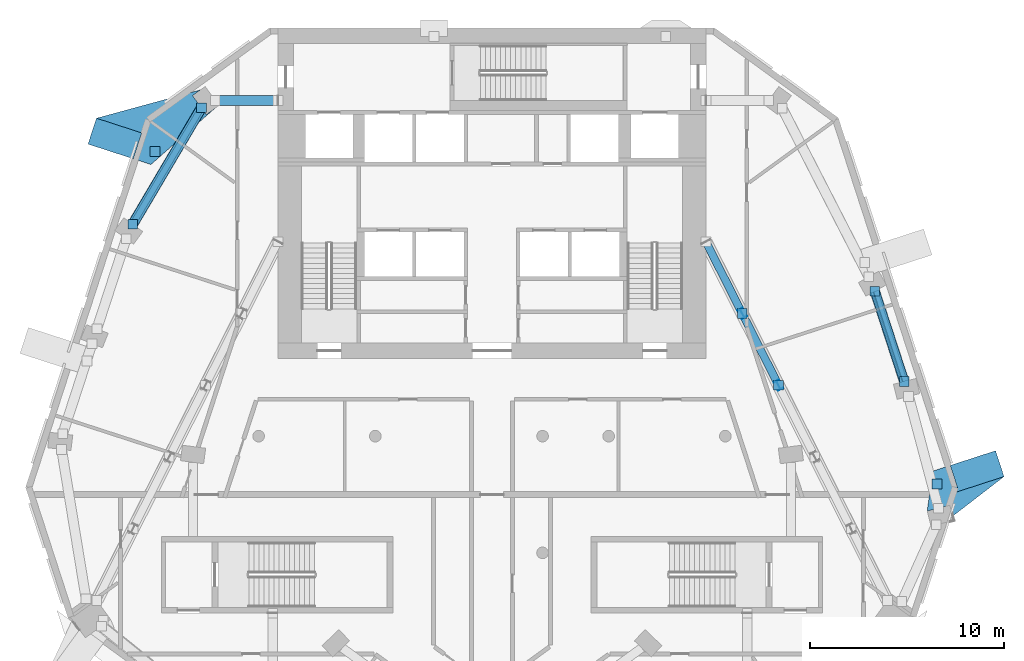
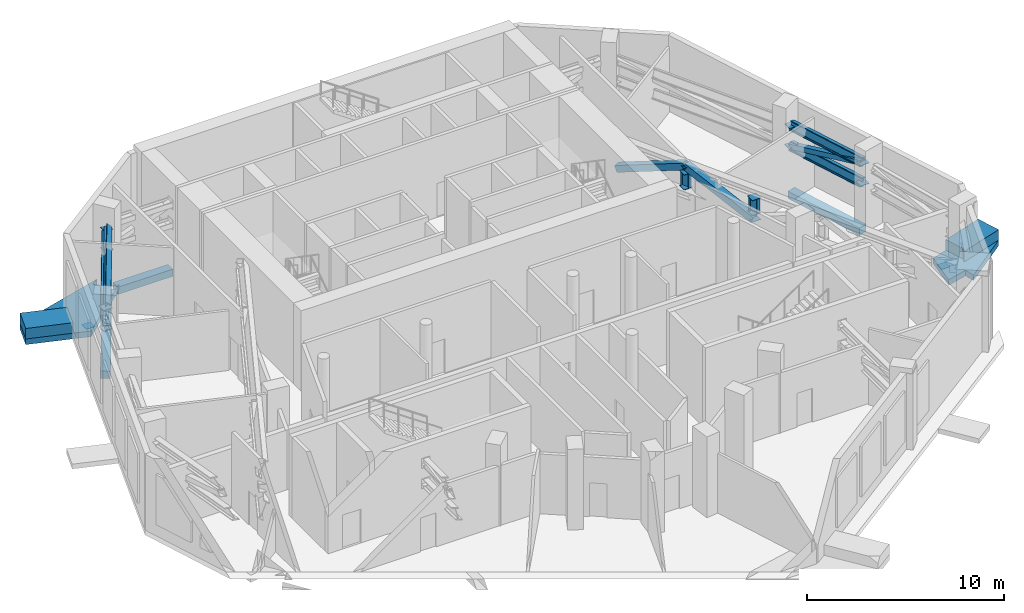
# One storey, part 5 of 16: 16 discrete accessories, 14 members, 3 beams.
"""IFC4 building model written with IfcOpenShell, lengths in metres."""

import ifcopenshell
import ifcopenshell.guid

model = None  # the IFC model being written
_history = None  # IfcOwnerHistory: only IFC2X3 demands one
_inside = {}  # id of a spatial element -> (the spatial element, [elements in it])
_under = {}  # id of a project, library or spatial element -> (it, [spatial elements below it])
_declared = {}  # id of a project -> (the project, [libraries it declares])
_typed = {}  # id of a type object -> (the type object, [elements of that type])
_made_of = {}  # id of a material, layer set ... -> (it, [elements and type objects made of it])


def new_model(schema):
    """Start an empty IFC model of exactly this schema.

    Asked for "IFC4X3", IfcOpenShell would pick the latest addendum, in which some entities
    have other attributes; the version numbers below select the first issue.
    IFC2X3 requires an IfcOwnerHistory on every rooted entity: one is made here for all.
    """
    global model, _history
    if schema == "IFC4X3":
        model = ifcopenshell.file(schema_version=(4, 3, 0, 0))
    else:
        model = ifcopenshell.file(schema=schema)
    _inside.clear()
    _under.clear()
    _declared.clear()
    _typed.clear()
    _made_of.clear()
    _history = None
    if model.schema == "IFC2X3":
        org = make("IfcOrganization", Name="unknown")
        user = make(
            "IfcPersonAndOrganization",
            ThePerson=make("IfcPerson", FamilyName="unknown"),
            TheOrganization=org,
        )
        app = make(
            "IfcApplication",
            ApplicationDeveloper=org,
            Version="unknown",
            ApplicationFullName="unknown",
            ApplicationIdentifier="unknown",
        )
        _history = make(
            "IfcOwnerHistory",
            OwningUser=user,
            OwningApplication=app,
            ChangeAction="ADDED",
            CreationDate=0,
        )
    return model


def make(cls, **values):
    """One entity of the class cls with the attributes given. An attribute that is None is left unset."""
    return model.create_entity(
        cls, **{name: value for name, value in values.items() if value is not None}
    )


def rooted(cls, **values):
    """An entity with a GlobalId (a new one), such as an element, a storey or a relation."""
    return make(cls, GlobalId=ifcopenshell.guid.new(), OwnerHistory=_history, **values)


def si_unit(unit_type, name, prefix=None):
    """IfcSIUnit, for example si_unit("LENGTHUNIT", "METRE", prefix="MILLI")."""
    return make("IfcSIUnit", UnitType=unit_type, Prefix=prefix, Name=name)


def assignment(units):
    """IfcUnitAssignment: the units of a project."""
    return None if units is None else make("IfcUnitAssignment", Units=units)


def point(xyz):
    """IfcCartesianPoint."""
    return None if xyz is None else make("IfcCartesianPoint", Coordinates=xyz)


def direction(xyz):
    """IfcDirection."""
    return None if xyz is None else make("IfcDirection", DirectionRatios=xyz)


def frame(location, z_axis=None, x_axis=None):
    """IfcAxis2Placement3D, a coordinate frame: its origin and axes. An axis left out is left unset."""
    return make(
        "IfcAxis2Placement3D",
        Location=point(location),
        Axis=direction(z_axis),
        RefDirection=direction(x_axis),
    )


def frame_2d(location, x_axis=None):
    """IfcAxis2Placement2D, a coordinate frame in the plane: its origin and x axis."""
    return make(
        "IfcAxis2Placement2D", Location=point(location), RefDirection=direction(x_axis)
    )


def origin():
    """The frame at (0, 0, 0) with its axes left unset."""
    return frame((0.0, 0.0, 0.0))


def origin_2d():
    """The frame at (0, 0) in the plane with its x axis left unset."""
    return frame_2d((0.0, 0.0))


def place(relative_to, where):
    """IfcLocalPlacement: puts the frame where relative to a parent placement (None: the world)."""
    return make(
        "IfcLocalPlacement", PlacementRelTo=relative_to, RelativePlacement=where
    )


def context(
    kind, dimensions, precision=None, world=None, true_north=None, identifier=None
):
    """IfcGeometricRepresentationContext, for example the 3D "Model" context."""
    return make(
        "IfcGeometricRepresentationContext",
        ContextIdentifier=identifier,
        ContextType=kind,
        CoordinateSpaceDimension=dimensions,
        Precision=precision,
        WorldCoordinateSystem=world,
        TrueNorth=true_north,
    )


def subcontext(parent, identifier, kind, view, scale=None):
    """IfcGeometricRepresentationSubContext, for example "Body" below "Model"."""
    return make(
        "IfcGeometricRepresentationSubContext",
        ContextIdentifier=identifier,
        ContextType=kind,
        ParentContext=parent,
        TargetScale=scale,
        TargetView=view,
    )


def project(units=None, contexts=None):
    """IfcProject with its units and contexts."""
    return rooted(
        "IfcProject",
        Name="project",
        RepresentationContexts=contexts,
        UnitsInContext=assignment(units),
    )


def spatial(cls, under=None, at=None, **own):
    """A site, building, storey or space (cls), placed at a placement, below another one or the project."""
    s = rooted(cls, ObjectPlacement=at, **own)
    if under is not None:
        _under.setdefault(under.id(), (under, []))[1].append(s)
    return s


def polyline(points):
    """IfcPolyline through the points."""
    return make("IfcPolyline", Points=[point(p) for p in points])


def profile(cls, at=None, kind="AREA", **sizes):
    """A parametric profile (cls). Its sizes go by their IFC names, for example OverallWidth=200.0."""
    return make(cls, ProfileType=kind, Position=at, **sizes)


def rectangle(**sizes):
    """IfcRectangleProfileDef."""
    return profile("IfcRectangleProfileDef", **sizes)


def hollow_rectangle(**sizes):
    """IfcRectangleHollowProfileDef."""
    return profile("IfcRectangleHollowProfileDef", **sizes)


def i_section(**sizes):
    """IfcIShapeProfileDef."""
    return profile("IfcIShapeProfileDef", **sizes)


def outline(outer, holes=None, kind="AREA"):
    """IfcArbitraryClosedProfileDef: a profile drawn as a closed curve; with holes, ...WithVoids."""
    if holes is None:
        return make("IfcArbitraryClosedProfileDef", ProfileType=kind, OuterCurve=outer)
    return make(
        "IfcArbitraryProfileDefWithVoids",
        ProfileType=kind,
        OuterCurve=outer,
        InnerCurves=holes,
    )


def extrude(swept, where, along, depth):
    """IfcExtrudedAreaSolid: the profile swept, set in the frame where, extruded along a direction by depth."""
    return make(
        "IfcExtrudedAreaSolid",
        SweptArea=swept,
        Position=where,
        ExtrudedDirection=direction(along),
        Depth=depth,
    )


def shape(context_of_items, identifier, shape_type, items):
    """IfcShapeRepresentation: the items that make up one representation, for example the "Body"."""
    return make(
        "IfcShapeRepresentation",
        ContextOfItems=context_of_items,
        RepresentationIdentifier=identifier,
        RepresentationType=shape_type,
        Items=items,
    )


def material(Name=None, Category=None):
    """IfcMaterial."""
    return make("IfcMaterial", Name=Name, Category=Category)


def layer(
    of_material, thickness, ventilated=None, Name=None, Category=None, Priority=None
):
    """IfcMaterialLayer: one layer of a wall or slab, of a material (None: an air gap)."""
    return make(
        "IfcMaterialLayer",
        Material=of_material,
        LayerThickness=thickness,
        IsVentilated=ventilated,
        Name=Name,
        Category=Category,
        Priority=Priority,
    )


def layer_set(layers, Name=None):
    """IfcMaterialLayerSet."""
    return make("IfcMaterialLayerSet", MaterialLayers=layers, LayerSetName=Name)


def material_profile(
    of_material, cross_section, Name=None, Category=None, Priority=None
):
    """IfcMaterialProfile: a cross section and its material."""
    return make(
        "IfcMaterialProfile",
        Name=Name,
        Material=of_material,
        Profile=cross_section,
        Priority=Priority,
        Category=Category,
    )


def profile_set(profiles, Name=None, composite=None):
    """IfcMaterialProfileSet."""
    return make(
        "IfcMaterialProfileSet",
        Name=Name,
        MaterialProfiles=profiles,
        CompositeProfile=composite,
    )


def made_of(thing, what):
    """Note that an element or type object is made of a material, layer set ...; save() writes the relation."""
    if what is not None:
        _made_of.setdefault(what.id(), (what, []))[1].append(thing)
    return thing


def type_object(cls, material=None, **own):
    """A type object (cls), such as IfcWallType, which elements share."""
    return made_of(rooted(cls, **own), material)


def element(
    cls,
    number,
    at=None,
    inside=None,
    cuts=None,
    type_object=None,
    material=None,
    context=None,
    identifier="Body",
    shape_type=None,
    held_by="IfcProductDefinitionShape",
    body=None,
    shapes=None,
    **own,
):
    """One element of the class cls, such as IfcWall. Its Tag is "e" and its number.

    at: its placement. inside: the storey or other place that contains it. cuts: it is an
    opening in that element (IfcRelVoidsElement). A single representation is given by context,
    identifier, shape_type and body (its items); several are given by shapes. held_by: the class
    of the entity that holds the representations. save() writes the other relations.
    """
    e = rooted(cls, Tag="e%d" % number, ObjectPlacement=at, **own)
    if body is not None:
        shapes = [shape(context, identifier, shape_type, body)]
    if shapes is not None:
        e.Representation = make(held_by, Representations=shapes)
    if inside is not None:
        _inside.setdefault(inside.id(), (inside, []))[1].append(e)
    if cuts is not None:
        rooted(
            "IfcRelVoidsElement", RelatingBuildingElement=cuts, RelatedOpeningElement=e
        )
    if type_object is not None:
        _typed.setdefault(type_object.id(), (type_object, []))[1].append(e)
    return made_of(e, material)


def aggregate(whole, parts):
    """IfcRelAggregates: a whole, such as a stair, and the parts it consists of."""
    return rooted("IfcRelAggregates", RelatingObject=whole, RelatedObjects=parts)


def save(model, path):
    """Write the relations noted so far, then the file.

    IfcRelAggregates (storeys below a building ...), IfcRelContainedInSpatialStructure (elements
    in a storey), IfcRelDefinesByType, IfcRelAssociatesMaterial and IfcRelDeclares: one each for
    every whole, place, type object, material and project.
    """
    for whole, parts in _under.values():
        aggregate(whole, parts)
    for where, things in _inside.values():
        rooted(
            "IfcRelContainedInSpatialStructure",
            RelatedElements=things,
            RelatingStructure=where,
        )
    for kind, things in _typed.values():
        rooted("IfcRelDefinesByType", RelatedObjects=things, RelatingType=kind)
    for what, things in _made_of.values():
        rooted("IfcRelAssociatesMaterial", RelatedObjects=things, RelatingMaterial=what)
    for by, libraries in _declared.values():
        rooted("IfcRelDeclares", RelatingContext=by, RelatedDefinitions=libraries)
    model.write(path)


model = new_model("IFC4")

# Units and contexts
model_context = context("Model", 3, precision=1e-05, world=origin(), true_north=direction((0.0, 1.0)))
body_context = subcontext(model_context, "Body", "Model", "MODEL_VIEW")
ifc_project = project(units=[si_unit("LENGTHUNIT", "METRE"), si_unit("AREAUNIT", "SQUARE_METRE"), si_unit("VOLUMEUNIT", "CUBIC_METRE"), si_unit("PLANEANGLEUNIT", "RADIAN"), si_unit("MASSUNIT", "GRAM", prefix="KILO")], contexts=[model_context])

# Site, building, storey
site_placement = place(None, origin())
site = spatial("IfcSite", under=ifc_project, at=site_placement, CompositionType="ELEMENT")
building_placement = place(site_placement, origin())
building = spatial("IfcBuilding", under=site, at=building_placement, Name="White Candle Pilgrim Tower", CompositionType="ELEMENT")
storey_placement = place(building_placement, frame((0.0, 0.0, 243.300048828125)))
storey = spatial("IfcBuildingStorey", under=building, at=storey_placement, Name="L57", CompositionType="ELEMENT", Elevation=243.300048828125)

# Member
ifc_material_1 = material(Name="Steel S355", Category="steel")
ifc_material_profile_1 = material_profile(ifc_material_1, i_section(OverallWidth=0.305908203125, OverallDepth=0.52392578125, WebThickness=0.02099609375, FlangeThickness=0.0400390625, FilletRadius=0.027099609375, at=origin_2d()), Name="HEM 500")
ifc_profile_set_1 = profile_set([ifc_material_profile_1], Name="Steel S355")
member_type_1 = type_object("IfcMemberType", Name="Belt truss chord HEM 500 S355", PredefinedType="CHORD", material=ifc_profile_set_1)
member_1_placement = place(storey_placement, frame((91.196044921875, 69.811279296875, 2.411865234375), z_axis=(-0.309391453236, 0.950934765725, 0.0), x_axis=(0.90428670255, 0.294214269083, -0.309359860775)))
member_1 = element("IfcMember", 1, at=member_1_placement, inside=storey, type_object=member_type_1, Name="L57 belt truss bottom chord 08", PredefinedType="CHORD", context=body_context, shape_type="SweptSolid", body=[
    extrude(i_section(OverallWidth=0.305908203125, OverallDepth=0.52392578125, WebThickness=0.02099609375, FlangeThickness=0.0400390625, FilletRadius=0.027099609375, at=origin_2d()), origin(), (0.0, 0.0, 1.0), 4.880615234375),
])

member_2_placement = place(storey_placement, frame((91.196044921875, 69.811279296875, 3.677978515625), z_axis=(-0.309391453236, 0.950934765725, 0.0), x_axis=(0.90428670255, 0.294214269083, -0.309359860775)))
member_2 = element("IfcMember", 2, at=member_2_placement, inside=storey, type_object=member_type_1, Name="L57 belt truss top chord 08", PredefinedType="CHORD", context=body_context, shape_type="SweptSolid", body=[
    extrude(i_section(OverallWidth=0.305908203125, OverallDepth=0.52392578125, WebThickness=0.02099609375, FlangeThickness=0.0400390625, FilletRadius=0.027099609375, at=origin_2d()), origin(), (0.0, 0.0, 1.0), 4.880615234375),
])

member_3_placement = place(storey_placement, frame((55.058349609375, 83.884521484375, 2.411865234375), z_axis=(-0.508250169427, -0.861209478163, 0.0), x_axis=(0.741679851795, -0.437708733931, -0.508253934252)))
member_3 = element("IfcMember", 3, at=member_3_placement, inside=storey, type_object=member_type_1, Name="L57 belt truss bottom chord 12", PredefinedType="CHORD", context=body_context, shape_type="SweptSolid", body=[
    extrude(i_section(OverallWidth=0.305908203125, OverallDepth=0.52392578125, WebThickness=0.02099609375, FlangeThickness=0.0400390625, FilletRadius=0.027099609375, at=origin_2d()), origin(), (0.0, 0.0, 1.0), 6.95361328125),
])

member_4_placement = place(storey_placement, frame((55.058349609375, 83.884521484375, 3.677978515625), z_axis=(-0.508250169427, -0.861209478163, 0.0), x_axis=(0.741679851795, -0.437708733931, -0.508253934252)))
member_4 = element("IfcMember", 4, at=member_4_placement, inside=storey, type_object=member_type_1, Name="L57 belt truss top chord 12", PredefinedType="CHORD", context=body_context, shape_type="SweptSolid", body=[
    extrude(i_section(OverallWidth=0.305908203125, OverallDepth=0.52392578125, WebThickness=0.02099609375, FlangeThickness=0.0400390625, FilletRadius=0.027099609375, at=origin_2d()), origin(), (0.0, 0.0, 1.0), 6.95361328125),
])

# Members
ifc_material_profile_2 = material_profile(ifc_material_1, hollow_rectangle(XDim=0.300048828125, YDim=0.300048828125, WallThickness=0.01611328125, at=origin_2d()), Name="SHS 300x300x16")
ifc_profile_set_2 = profile_set([ifc_material_profile_2], Name="Steel S355")
member_type_2 = type_object("IfcMemberType", Name="Belt truss diagonal SHS 300x300x16 S355", PredefinedType="BRACE", material=ifc_profile_set_2)
member_5_placement = place(storey_placement, frame((91.196044921875, 69.811279296875, 3.677978515625), z_axis=(-0.299478370865, 0.920466261948, -0.251106682507), x_axis=(-0.950934765725, -0.309391453236, 0.0)))
element("IfcMember", 5, at=member_5_placement, inside=storey, type_object=member_type_2, Name="L57 belt truss diagonal 08", PredefinedType="BRACE", context=body_context, shape_type="SweptSolid", body=[
    extrude(hollow_rectangle(XDim=0.300048828125, YDim=0.300048828125, WallThickness=0.01611328125, at=origin_2d()), origin(), (0.0, 0.0, 1.0), 5.042236328125),
])
member_6_placement = place(storey_placement, frame((55.058349609375, 83.884521484375, 3.677978515625), z_axis=(-0.500029019728, -0.847279070525, -0.179134463686), x_axis=(0.861209478163, -0.508250169427, 0.0)))
element("IfcMember", 6, at=member_6_placement, inside=storey, type_object=member_type_2, Name="L57 belt truss diagonal 12", PredefinedType="BRACE", context=body_context, shape_type="SweptSolid", body=[
    extrude(hollow_rectangle(XDim=0.300048828125, YDim=0.300048828125, WallThickness=0.01611328125, at=origin_2d()), origin(), (0.0, 0.0, 1.0), 7.06787109375),
])

# Member
ifc_material_profile_3 = material_profile(ifc_material_1, hollow_rectangle(XDim=0.39990234375, YDim=0.39990234375, WallThickness=0.02001953125, at=origin_2d()), Name="SHS 400x400x20")
ifc_profile_set_3 = profile_set([ifc_material_profile_3], Name="Steel S355")
member_type_3 = type_object("IfcMemberType", Name="L44 outrigger 1 diagonal SHS 400x400x20 S355", PredefinedType="BRACE", material=ifc_profile_set_3)
member_7_placement = place(storey_placement, frame((81.0, 77.0, 2.556884765625), z_axis=(0.416257084501, -0.822714760788, 0.387131065641), x_axis=(0.892291459582, 0.451459800156, 0.0)))
member_7 = element("IfcMember", 7, at=member_7_placement, inside=storey, type_object=member_type_3, Name="L57 outrigger 2 diagonal 1", PredefinedType="BRACE", context=body_context, shape_type="SweptSolid", body=[
    extrude(hollow_rectangle(XDim=0.39990234375, YDim=0.39990234375, WallThickness=0.02001953125, at=origin_2d()), origin(), (0.0, 0.0, 1.0), 4.484375),
])

member_8_placement = place(storey_placement, frame((82.86669921875, 73.310546875, 4.29296875), z_axis=(0.416283446611, -0.822713708466, -0.387104954734), x_axis=(0.892279709163, 0.45148302362, 0.0)))
member_8 = element("IfcMember", 8, at=member_8_placement, inside=storey, type_object=member_type_3, Name="L57 outrigger 2 diagonal 2", PredefinedType="BRACE", context=body_context, shape_type="SweptSolid", body=[
    extrude(hollow_rectangle(XDim=0.39990234375, YDim=0.39990234375, WallThickness=0.02001953125, at=origin_2d()), origin(), (0.0, 0.0, 1.0), 4.48486328125),
])

ifc_material_profile_4 = material_profile(ifc_material_1, i_section(OverallWidth=0.300048828125, OverallDepth=0.5, WebThickness=0.014404296875, FlangeThickness=0.028076171875, FilletRadius=0.027099609375, at=origin_2d()), Name="HEB 500")
ifc_profile_set_4 = profile_set([ifc_material_profile_4], Name="Steel S355")
member_type_4 = type_object("IfcMemberType", Name="L44 outrigger 1 post HEB 500 S355", PredefinedType="POST", material=ifc_profile_set_4)
member_9_placement = place(storey_placement, frame((82.86669921875, 73.310546875, 2.9638671875), z_axis=(0.0, 0.0, 1.0), x_axis=(0.892283974884, 0.451474593045, 0.0)))
member_9 = element("IfcMember", 9, at=member_9_placement, inside=storey, type_object=member_type_4, Name="L57 outrigger 2 post 1", PredefinedType="POST", context=body_context, shape_type="SweptSolid", body=[
    extrude(i_section(OverallWidth=0.300048828125, OverallDepth=0.5, WebThickness=0.014404296875, FlangeThickness=0.028076171875, FilletRadius=0.027099609375, at=origin_2d()), origin(), (0.0, 0.0, 1.0), 0.922119140625),
])

member_10_placement = place(storey_placement, frame((84.733642578125, 69.620849609375, 2.9638671875), z_axis=(0.0, 0.0, 1.0), x_axis=(0.892283974884, 0.451474593045, 0.0)))
member_10 = element("IfcMember", 10, at=member_10_placement, inside=storey, type_object=member_type_4, Name="L57 outrigger 2 post 2", PredefinedType="POST", context=body_context, shape_type="SweptSolid", body=[
    extrude(i_section(OverallWidth=0.300048828125, OverallDepth=0.5, WebThickness=0.014404296875, FlangeThickness=0.028076171875, FilletRadius=0.027099609375, at=origin_2d()), origin(), (0.0, 0.0, 1.0), 0.922119140625),
])

ifc_material_2 = material(Name="Concrete C70/85, white", Category="concrete")
ifc_layer_1 = layer(ifc_material_2, 0.300048828125)
ifc_layer_set_1 = layer_set([ifc_layer_1], Name="Node tie strut 3400x1400x300 C70/85")
member_type_5 = type_object("IfcMemberType", Name="Node tie strut 3400x1400x300 C70/85", PredefinedType="STRUT", material=ifc_layer_set_1)
member_11_placement = place(storey_placement, frame((0.0, 0.0, -0.35009765625)))
member_11 = element("IfcMember", 11, at=member_11_placement, inside=storey, type_object=member_type_5, Name="Node tie strut NC192", PredefinedType="STRUT", context=body_context, shape_type="SweptSolid", body=[
    extrude(outline(polyline([(93.68603515625, 62.8828125), (96.328369140625, 64.92041015625), (95.895751953125, 66.251953125), (92.662109375, 65.201171875), (92.3798828125, 63.1494140625), (93.542724609375, 63.44580078125), (93.68603515625, 62.8828125)])), origin(), (0.0, 0.0, 1.0), 0.35009765625),
])

member_12_placement = place(storey_placement, origin())
element("IfcMember", 12, at=member_12_placement, inside=storey, type_object=member_type_5, Name="Node tie strut NC192", PredefinedType="STRUT", context=body_context, shape_type="SweptSolid", body=[
    extrude(outline(polyline([(93.848876953125, 64.11474609375), (96.328369140625, 64.92041015625), (95.895751953125, 66.251953125), (93.565673828125, 65.494873046875), (93.931396484375, 64.368896484375), (93.848876953125, 64.11474609375)])), origin(), (0.0, 0.0, 1.0), 0.64990234375),
])

member_13_placement = place(storey_placement, frame((0.0, 0.0, -0.35009765625)))
member_13 = element("IfcMember", 13, at=member_13_placement, inside=storey, type_object=member_type_5, Name="Node tie strut NC200", PredefinedType="STRUT", context=body_context, shape_type="SweptSolid", body=[
    extrude(outline(polyline([(52.4609375, 80.96826171875), (55.770263671875, 83.87451171875), (55.30908203125, 83.53955078125), (54.603759765625, 84.51025390625), (55.01171875, 84.806884765625), (49.659912109375, 83.350341796875), (49.227294921875, 82.018798828125), (52.4609375, 80.96826171875)])), origin(), (0.0, 0.0, 1.0), 0.35009765625),
])

member_14_placement = place(storey_placement, origin())
element("IfcMember", 14, at=member_14_placement, inside=storey, type_object=member_type_5, Name="Node tie strut NC200", PredefinedType="STRUT", context=body_context, shape_type="SweptSolid", body=[
    extrude(outline(polyline([(51.557373046875, 81.26171875), (51.989990234375, 82.59326171875), (49.659912109375, 83.350341796875), (49.227294921875, 82.018798828125), (51.557373046875, 81.26171875)])), origin(), (0.0, 0.0, 1.0), 0.64990234375),
])

# Beams
ifc_material_3 = material(Name="Concrete C50/60", Category="concrete")
ifc_material_profile_5 = material_profile(ifc_material_3, rectangle(XDim=0.5, YDim=0.449951171875, at=origin_2d()), Name="RC-BM 500x450")
ifc_profile_set_5 = profile_set([ifc_material_profile_5], Name="Concrete C50/60")
beam_type = type_object("IfcBeamType", Name="Spandrel beam RC-BM 500x450 C50/60", PredefinedType="BEAM", material=ifc_profile_set_5)
beam_1_placement = place(storey_placement, frame((91.196044921875, 69.811279296875, -0.525146484375), z_axis=(-0.309391453236, 0.950934765725, 0.0), x_axis=(-0.950934765725, -0.309391453236, 0.0)))
element("IfcBeam", 15, at=beam_1_placement, inside=storey, type_object=beam_type, Name="L57 spandrel beam T08", PredefinedType="BEAM", context=body_context, shape_type="SweptSolid", body=[
    extrude(rectangle(XDim=0.5, YDim=0.449951171875, at=origin_2d()), origin(), (0.0, 0.0, 1.0), 4.880615234375),
])
beam_2_placement = place(storey_placement, frame((55.7744140625, 84.260009765625, -0.525146484375), z_axis=(1.0, 0.0, 0.0), x_axis=(0.0, 1.0, 0.0)))
element("IfcBeam", 16, at=beam_2_placement, inside=storey, type_object=beam_type, Name="L57 spandrel beam T11", PredefinedType="BEAM", context=body_context, shape_type="SweptSolid", body=[
    extrude(rectangle(XDim=0.5, YDim=0.449951171875, at=origin_2d()), origin(), (0.0, 0.0, 1.0), 3.2255859375),
])
beam_3_placement = place(storey_placement, frame((55.058349609375, 83.884521484375, -0.525146484375), z_axis=(-0.508250169427, -0.861209478163, 0.0), x_axis=(0.861209478163, -0.508250169427, 0.0)))
element("IfcBeam", 17, at=beam_3_placement, inside=storey, type_object=beam_type, Name="L57 spandrel beam T12", PredefinedType="BEAM", context=body_context, shape_type="SweptSolid", body=[
    extrude(rectangle(XDim=0.5, YDim=0.449951171875, at=origin_2d()), origin(), (0.0, 0.0, 1.0), 6.95361328125),
])

# Discrete accessory
ifc_layer_2 = layer(ifc_material_1, 0.02490234375)
ifc_layer_set_2 = layer_set([ifc_layer_2], Name="Gusset plate 500x500x25 S355")
discrete_accessory_type = type_object("IfcDiscreteAccessoryType", Name="Gusset plate 500x500x25 S355", PredefinedType="BRACKET", material=ifc_layer_set_2)
discrete_accessory_1_placement = place(storey_placement, frame((92.87841796875, 64.535400390625, -0.16259765625), z_axis=(0.0, 0.0, 1.0), x_axis=(1.0, 0.0, 0.0)))
discrete_accessory_1 = element("IfcDiscreteAccessory", 18, at=discrete_accessory_1_placement, type_object=discrete_accessory_type, Name="Gusset plate 0573", PredefinedType="BRACKET", context=body_context, shape_type="SweptSolid", body=[
    extrude(rectangle(XDim=0.5, YDim=0.5, at=origin_2d()), origin(), (0.0, 0.0, 1.0), 0.02490234375),
])

aggregate(member_11, [discrete_accessory_1])

discrete_accessory_2_placement = place(storey_placement, frame((52.67724609375, 81.634033203125, -0.16259765625), z_axis=(0.0, 0.0, 1.0), x_axis=(1.0, 0.0, 0.0)))
discrete_accessory_2 = element("IfcDiscreteAccessory", 19, at=discrete_accessory_2_placement, type_object=discrete_accessory_type, Name="Gusset plate 0581", PredefinedType="BRACKET", context=body_context, shape_type="SweptSolid", body=[
    extrude(rectangle(XDim=0.5, YDim=0.5, at=origin_2d()), origin(), (0.0, 0.0, 1.0), 0.02490234375),
])

aggregate(member_13, [discrete_accessory_2])

discrete_accessory_3_placement = place(storey_placement, frame((91.196044921875, 69.811279296875, 2.3994140625), z_axis=(0.0, 0.0, 1.0), x_axis=(1.0, 0.0, 0.0)))
discrete_accessory_3 = element("IfcDiscreteAccessory", 20, at=discrete_accessory_3_placement, type_object=discrete_accessory_type, Name="Gusset plate 0866", PredefinedType="BRACKET", context=body_context, shape_type="SweptSolid", body=[
    extrude(rectangle(XDim=0.5, YDim=0.5, at=origin_2d()), origin(), (0.0, 0.0, 1.0), 0.02490234375),
])

discrete_accessory_4_placement = place(storey_placement, frame((89.68603515625, 74.452392578125, 2.3994140625), z_axis=(0.0, 0.0, 1.0), x_axis=(1.0, 0.0, 0.0)))
discrete_accessory_4 = element("IfcDiscreteAccessory", 21, at=discrete_accessory_4_placement, type_object=discrete_accessory_type, Name="Gusset plate 0867", PredefinedType="BRACKET", context=body_context, shape_type="SweptSolid", body=[
    extrude(rectangle(XDim=0.5, YDim=0.5, at=origin_2d()), origin(), (0.0, 0.0, 1.0), 0.02490234375),
])

aggregate(member_1, [discrete_accessory_3, discrete_accessory_4])

discrete_accessory_5_placement = place(storey_placement, frame((91.196044921875, 69.811279296875, 3.66552734375), z_axis=(0.0, 0.0, 1.0), x_axis=(1.0, 0.0, 0.0)))
discrete_accessory_5 = element("IfcDiscreteAccessory", 22, at=discrete_accessory_5_placement, type_object=discrete_accessory_type, Name="Gusset plate 0868", PredefinedType="BRACKET", context=body_context, shape_type="SweptSolid", body=[
    extrude(rectangle(XDim=0.5, YDim=0.5, at=origin_2d()), origin(), (0.0, 0.0, 1.0), 0.02490234375),
])

discrete_accessory_6_placement = place(storey_placement, frame((89.68603515625, 74.452392578125, 3.66552734375), z_axis=(0.0, 0.0, 1.0), x_axis=(1.0, 0.0, 0.0)))
discrete_accessory_6 = element("IfcDiscreteAccessory", 23, at=discrete_accessory_6_placement, type_object=discrete_accessory_type, Name="Gusset plate 0869", PredefinedType="BRACKET", context=body_context, shape_type="SweptSolid", body=[
    extrude(rectangle(XDim=0.5, YDim=0.5, at=origin_2d()), origin(), (0.0, 0.0, 1.0), 0.02490234375),
])

aggregate(member_2, [discrete_accessory_5, discrete_accessory_6])

discrete_accessory_7_placement = place(storey_placement, frame((55.058349609375, 83.884521484375, 2.3994140625), z_axis=(0.0, 0.0, 1.0), x_axis=(1.0, 0.0, 0.0)))
discrete_accessory_7 = element("IfcDiscreteAccessory", 24, at=discrete_accessory_7_placement, type_object=discrete_accessory_type, Name="Gusset plate 0882", PredefinedType="BRACKET", context=body_context, shape_type="SweptSolid", body=[
    extrude(rectangle(XDim=0.5, YDim=0.5, at=origin_2d()), origin(), (0.0, 0.0, 1.0), 0.02490234375),
])

discrete_accessory_8_placement = place(storey_placement, frame((51.524169921875, 77.89599609375, 2.3994140625), z_axis=(0.0, 0.0, 1.0), x_axis=(1.0, 0.0, 0.0)))
discrete_accessory_8 = element("IfcDiscreteAccessory", 25, at=discrete_accessory_8_placement, type_object=discrete_accessory_type, Name="Gusset plate 0883", PredefinedType="BRACKET", context=body_context, shape_type="SweptSolid", body=[
    extrude(rectangle(XDim=0.5, YDim=0.5, at=origin_2d()), origin(), (0.0, 0.0, 1.0), 0.02490234375),
])

aggregate(member_3, [discrete_accessory_7, discrete_accessory_8])

discrete_accessory_9_placement = place(storey_placement, frame((55.058349609375, 83.884521484375, 3.66552734375), z_axis=(0.0, 0.0, 1.0), x_axis=(1.0, 0.0, 0.0)))
discrete_accessory_9 = element("IfcDiscreteAccessory", 26, at=discrete_accessory_9_placement, type_object=discrete_accessory_type, Name="Gusset plate 0884", PredefinedType="BRACKET", context=body_context, shape_type="SweptSolid", body=[
    extrude(rectangle(XDim=0.5, YDim=0.5, at=origin_2d()), origin(), (0.0, 0.0, 1.0), 0.02490234375),
])

discrete_accessory_10_placement = place(storey_placement, frame((51.524169921875, 77.89599609375, 3.66552734375), z_axis=(0.0, 0.0, 1.0), x_axis=(1.0, 0.0, 0.0)))
discrete_accessory_10 = element("IfcDiscreteAccessory", 27, at=discrete_accessory_10_placement, type_object=discrete_accessory_type, Name="Gusset plate 0885", PredefinedType="BRACKET", context=body_context, shape_type="SweptSolid", body=[
    extrude(rectangle(XDim=0.5, YDim=0.5, at=origin_2d()), origin(), (0.0, 0.0, 1.0), 0.02490234375),
])

aggregate(member_4, [discrete_accessory_9, discrete_accessory_10])

discrete_accessory_11_placement = place(storey_placement, frame((82.86669921875, 73.310546875, 4.280517578125), z_axis=(0.0, 0.0, 1.0), x_axis=(1.0, 0.0, 0.0)))
discrete_accessory_11 = element("IfcDiscreteAccessory", 28, at=discrete_accessory_11_placement, type_object=discrete_accessory_type, Name="Gusset plate 1004", PredefinedType="BRACKET", context=body_context, shape_type="SweptSolid", body=[
    extrude(rectangle(XDim=0.5, YDim=0.5, at=origin_2d()), origin(), (0.0, 0.0, 1.0), 0.02490234375),
])

aggregate(member_7, [discrete_accessory_11])

discrete_accessory_12_placement = place(storey_placement, frame((84.733642578125, 69.620849609375, 2.54443359375), z_axis=(0.0, 0.0, 1.0), x_axis=(1.0, 0.0, 0.0)))
discrete_accessory_12 = element("IfcDiscreteAccessory", 29, at=discrete_accessory_12_placement, type_object=discrete_accessory_type, Name="Gusset plate 1005", PredefinedType="BRACKET", context=body_context, shape_type="SweptSolid", body=[
    extrude(rectangle(XDim=0.5, YDim=0.5, at=origin_2d()), origin(), (0.0, 0.0, 1.0), 0.02490234375),
])

aggregate(member_8, [discrete_accessory_12])

discrete_accessory_13_placement = place(storey_placement, frame((82.86669921875, 73.310546875, 2.951416015625), z_axis=(0.0, 0.0, 1.0), x_axis=(1.0, 0.0, 0.0)))
discrete_accessory_13 = element("IfcDiscreteAccessory", 30, at=discrete_accessory_13_placement, type_object=discrete_accessory_type, Name="Gusset plate 1008", PredefinedType="BRACKET", context=body_context, shape_type="SweptSolid", body=[
    extrude(rectangle(XDim=0.5, YDim=0.5, at=origin_2d()), origin(), (0.0, 0.0, 1.0), 0.02490234375),
])

discrete_accessory_14_placement = place(storey_placement, frame((82.86669921875, 73.310546875, 3.87353515625), z_axis=(0.0, 0.0, 1.0), x_axis=(1.0, 0.0, 0.0)))
discrete_accessory_14 = element("IfcDiscreteAccessory", 31, at=discrete_accessory_14_placement, type_object=discrete_accessory_type, Name="Gusset plate 1009", PredefinedType="BRACKET", context=body_context, shape_type="SweptSolid", body=[
    extrude(rectangle(XDim=0.5, YDim=0.5, at=origin_2d()), origin(), (0.0, 0.0, 1.0), 0.02490234375),
])

aggregate(member_9, [discrete_accessory_13, discrete_accessory_14])

discrete_accessory_15_placement = place(storey_placement, frame((84.733642578125, 69.620849609375, 2.951416015625), z_axis=(0.0, 0.0, 1.0), x_axis=(1.0, 0.0, 0.0)))
discrete_accessory_15 = element("IfcDiscreteAccessory", 32, at=discrete_accessory_15_placement, type_object=discrete_accessory_type, Name="Gusset plate 1010", PredefinedType="BRACKET", context=body_context, shape_type="SweptSolid", body=[
    extrude(rectangle(XDim=0.5, YDim=0.5, at=origin_2d()), origin(), (0.0, 0.0, 1.0), 0.02490234375),
])

discrete_accessory_16_placement = place(storey_placement, frame((84.733642578125, 69.620849609375, 3.87353515625), z_axis=(0.0, 0.0, 1.0), x_axis=(1.0, 0.0, 0.0)))
discrete_accessory_16 = element("IfcDiscreteAccessory", 33, at=discrete_accessory_16_placement, type_object=discrete_accessory_type, Name="Gusset plate 1011", PredefinedType="BRACKET", context=body_context, shape_type="SweptSolid", body=[
    extrude(rectangle(XDim=0.5, YDim=0.5, at=origin_2d()), origin(), (0.0, 0.0, 1.0), 0.02490234375),
])

aggregate(member_10, [discrete_accessory_15, discrete_accessory_16])

save(model, "model.ifc")
